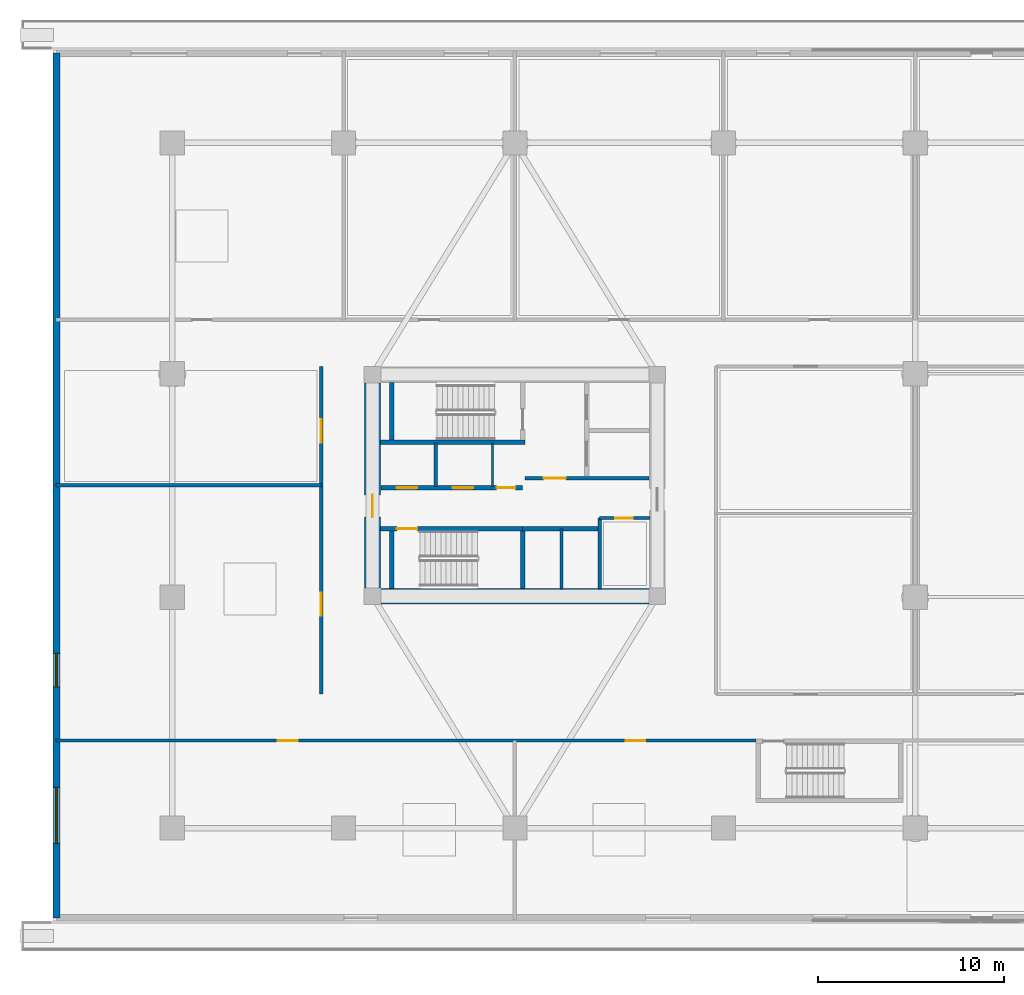
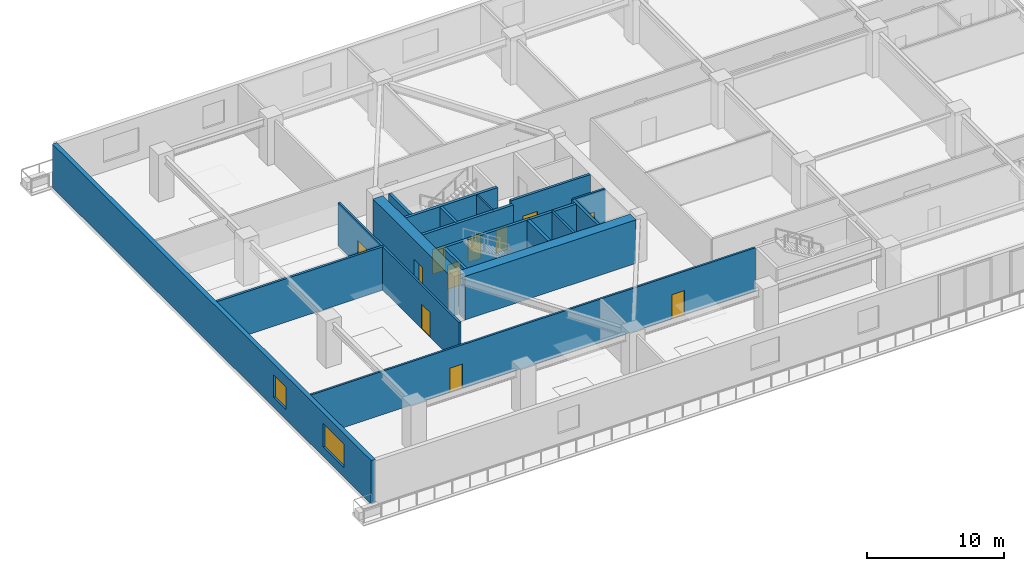
# One storey, part 4 of 22: 19 walls, 11 doors, 2 windows, 13 openings.
"""IFC4 building model written with IfcOpenShell, lengths in metres."""

from ifc_helpers import new_model, si_unit, direction, frame, frame_2d, origin, place, context, subcontext, project, spatial, rectangle, extrude, source, transform, mapped, material, layer, layer_set, type_object, type_shapes, element, fill, save


model = new_model("IFC4")

# Units and contexts
model_context = context("Model", 3, precision=1e-05, world=origin(), true_north=direction((0.0, 1.0)))
body_context = subcontext(model_context, "Body", "Model", "MODEL_VIEW")
ifc_project = project(units=[si_unit("LENGTHUNIT", "METRE"), si_unit("AREAUNIT", "SQUARE_METRE"), si_unit("VOLUMEUNIT", "CUBIC_METRE"), si_unit("PLANEANGLEUNIT", "RADIAN"), si_unit("MASSUNIT", "GRAM", prefix="KILO")], contexts=[model_context])

# Site, building, storey
site_placement = place(None, origin())
site = spatial("IfcSite", under=ifc_project, at=site_placement, CompositionType="ELEMENT")
building_placement = place(site_placement, origin())
building = spatial("IfcBuilding", under=site, at=building_placement, Name="Norrkilde Senior Care Towers", CompositionType="ELEMENT")
storey_placement = place(building_placement, frame((0.0, 0.0, 4.199951171875)))
storey = spatial("IfcBuildingStorey", under=building, at=storey_placement, Name="L01", CompositionType="ELEMENT", Elevation=4.199951171875)

# Wall
ifc_material_1 = material(Name="Concrete C60/75", Category="concrete")
ifc_layer_1 = layer(ifc_material_1, 0.85009765625)
ifc_layer_set_1 = layer_set([ifc_layer_1], Name="Concrete C60/75")
wall_type_1 = type_object("IfcWallType", Name="Core Shear Wall Z1 850", PredefinedType="SHEAR", material=ifc_layer_set_1)
shared_shape_1 = source(origin(), body_context, "Body", "SweptSolid", [
    extrude(rectangle(XDim=14.39990234375, YDim=0.85009765625, at=frame_2d((7.199951171875, 0.0))), origin(), (0.0, 0.0, 1.0), 3.880126953125),
])
wall_1_placement = place(storey_placement, frame((-20.800048828125, -5.949951171875, 0.0), z_axis=(0.0, 0.0, 1.0), x_axis=(-1.0, 0.0, 0.0)))
element("IfcWall", 1, at=wall_1_placement, inside=storey, type_object=wall_type_1, Name="L01 Core W South Shear Wall", PredefinedType="SHEAR", context=body_context, shape_type="MappedRepresentation", body=[
    mapped(shared_shape_1, transform((0.0, 0.0, 0.0), x_axis=(1.0, 0.0, 0.0), y_axis=(0.0, 1.0, 0.0), z_axis=(0.0, 0.0, 1.0), scale=1.0)),
])

# Wall, opening, door
shared_shape_2 = source(origin(), body_context, "Body", "SweptSolid", [
    extrude(rectangle(XDim=11.0, YDim=0.85009765625, at=frame_2d((5.5, 0.0))), origin(), (0.0, 0.0, 1.0), 3.880126953125),
])
type_shapes(wall_type_1, [shared_shape_1, shared_shape_2])
wall_2_placement = place(storey_placement, frame((-35.64990234375, -5.5, 0.0), z_axis=(0.0, 0.0, 1.0), x_axis=(0.0, 1.0, 0.0)))
wall_2 = element("IfcWall", 2, at=wall_2_placement, inside=storey, type_object=wall_type_1, Name="L01 Core W West Shear Wall", PredefinedType="SHEAR", context=body_context, shape_type="MappedRepresentation", body=[
    mapped(shared_shape_2, transform((0.0, 0.0, 0.0), x_axis=(1.0, 0.0, 0.0), y_axis=(0.0, 1.0, 0.0), z_axis=(0.0, 0.0, 1.0), scale=1.0)),
])
opening_1_placement = place(wall_2_placement, frame((3.800048828125, 0.0, 0.0)))
opening_1 = element("IfcOpeningElement", 3, at=opening_1_placement, cuts=wall_2, Name="Opening D-04", PredefinedType="OPENING", context=body_context, shape_type="SweptSolid", body=[
    extrude(rectangle(XDim=1.199951171875, YDim=2.14990234375, at=frame_2d((0.60009765625, 1.074951171875))), frame((0.0, 0.43505859375, 0.0), z_axis=(0.0, -1.0, 0.0), x_axis=(1.0, 0.0, 0.0)), (0.0, 0.0, 1.0), 0.8701171875),
])
ifc_material_2 = material(Name="Galvanised Painted Steel", Category="steel")
door_type_1 = type_object("IfcDoorType", Name="Firefighting Lobby Fire Door 1200x2150", OperationType="NOTDEFINED", PredefinedType="DOOR", material=ifc_material_2)
shared_shape_3 = source(origin(), body_context, "Body", "SweptSolid", [
    extrude(rectangle(XDim=1.199951171875, YDim=2.14990234375, at=frame_2d((0.60009765625, 1.074951171875))), frame((0.0, 0.02490234375, 0.0), z_axis=(0.0, -1.0, 0.0), x_axis=(1.0, 0.0, 0.0)), (0.0, 0.0, 1.0), 0.050048828125),
])
type_shapes(door_type_1, [shared_shape_3])
door_1_placement = place(opening_1_placement, frame((1.199951171875, 0.0, 0.0), z_axis=(0.0, 0.0, 1.0), x_axis=(-1.0, 0.0, 0.0)))
door_1 = element("IfcDoor", 4, at=door_1_placement, inside=storey, type_object=door_type_1, Name="L01 Core W West Portal Door", OperationType="SINGLE_SWING_LEFT", OverallHeight=2.14990234375, OverallWidth=1.199951171875, PredefinedType="DOOR", context=body_context, shape_type="MappedRepresentation", body=[
    mapped(shared_shape_3, transform((0.0, 0.0, 0.0), x_axis=(1.0, 0.0, 0.0), y_axis=(0.0, 1.0, 0.0), z_axis=(0.0, 0.0, 1.0), scale=1.0)),
])
fill(opening_1, door_1)

# Wall, openings, windows
ifc_material_3 = material(Name="Precast concrete C45/55", Category="concrete")
ifc_layer_2 = layer(ifc_material_3, 0.360107421875)
ifc_layer_set_2 = layer_set([ifc_layer_2], Name="Precast concrete C45/55")
wall_type_2 = type_object("IfcWallType", Name="Podium Facade Wall 360", PredefinedType="SOLIDWALL", material=ifc_layer_set_2)
shared_shape_4 = source(origin(), body_context, "Body", "SweptSolid", [
    extrude(rectangle(XDim=46.43994140625, YDim=0.360107421875, at=frame_2d((23.219970703125, 0.0))), origin(), (0.0, 0.0, 1.0), 3.880126953125),
])
type_shapes(wall_type_2, [shared_shape_4])
wall_3_placement = place(storey_placement, frame((-52.6201171875, -23.219970703125, 0.0), z_axis=(0.0, 0.0, 1.0), x_axis=(0.0, 1.0, 0.0)))
wall_3 = element("IfcWall", 5, at=wall_3_placement, inside=storey, type_object=wall_type_2, Name="L01 Podium W Facade Wall", PredefinedType="SOLIDWALL", context=body_context, shape_type="MappedRepresentation", body=[
    mapped(shared_shape_4, transform((0.0, 0.0, 0.0), x_axis=(1.0, 0.0, 0.0), y_axis=(0.0, 1.0, 0.0), z_axis=(0.0, 0.0, 1.0), scale=1.0)),
])
opening_2_placement = place(wall_3_placement, frame((4.0, 0.0, 0.85009765625)))
opening_2 = element("IfcOpeningElement", 6, at=opening_2_placement, cuts=wall_3, Name="Opening WN-02", PredefinedType="OPENING", context=body_context, shape_type="SweptSolid", body=[
    extrude(rectangle(XDim=3.0, YDim=2.10009765625, at=frame_2d((1.5, 1.050048828125))), frame((0.0, 0.18994140625, 0.0), z_axis=(0.0, -1.0, 0.0), x_axis=(1.0, 0.0, 0.0)), (0.0, 0.0, 1.0), 0.380126953125),
])
opening_3_placement = place(wall_3_placement, frame((12.39990234375, 0.0, 0.89990234375)))
opening_3 = element("IfcOpeningElement", 7, at=opening_3_placement, cuts=wall_3, Name="Opening WN-03", PredefinedType="OPENING", context=body_context, shape_type="SweptSolid", body=[
    extrude(rectangle(XDim=1.800048828125, YDim=2.0, at=frame_2d((0.89990234375, 1.0))), frame((0.0, 0.18994140625, 0.0), z_axis=(0.0, -1.0, 0.0), x_axis=(1.0, 0.0, 0.0)), (0.0, 0.0, 1.0), 0.380126953125),
])
ifc_material_4 = material(Name="Triple Low-E Insulated Glazing", Category="glass")
window_type_1 = type_object("IfcWindowType", Name="Podium Rehab Ribbon Window 3000x2100", PartitioningType="SINGLE_PANEL", PredefinedType="WINDOW", material=ifc_material_4)
shared_shape_5 = source(origin(), body_context, "Body", "SweptSolid", [
    extrude(rectangle(XDim=3.0, YDim=2.10009765625, at=frame_2d((1.5, 1.050048828125))), frame((0.0, 0.030029296875, 0.0), z_axis=(0.0, -1.0, 0.0), x_axis=(1.0, 0.0, 0.0)), (0.0, 0.0, 1.0), 0.06005859375),
])
type_shapes(window_type_1, [shared_shape_5])
window_1_placement = place(opening_2_placement, origin())
window_1 = element("IfcWindow", 8, at=window_1_placement, inside=storey, type_object=window_type_1, Name="L01 W Window 01", OverallHeight=2.10009765625, OverallWidth=3.0, PartitioningType="SINGLE_PANEL", PredefinedType="WINDOW", context=body_context, shape_type="MappedRepresentation", body=[
    mapped(shared_shape_5, transform((0.0, 0.0, 0.0), x_axis=(1.0, 0.0, 0.0), y_axis=(0.0, 1.0, 0.0), z_axis=(0.0, 0.0, 1.0), scale=1.0)),
])
fill(opening_2, window_1)
window_type_2 = type_object("IfcWindowType", Name="Podium Therapy Garden Window 1800x2000", PartitioningType="SINGLE_PANEL", PredefinedType="WINDOW", material=ifc_material_4)
shared_shape_6 = source(origin(), body_context, "Body", "SweptSolid", [
    extrude(rectangle(XDim=1.800048828125, YDim=2.0, at=frame_2d((0.89990234375, 1.0))), frame((0.0, 0.030029296875, 0.0), z_axis=(0.0, -1.0, 0.0), x_axis=(1.0, 0.0, 0.0)), (0.0, 0.0, 1.0), 0.06005859375),
])
type_shapes(window_type_2, [shared_shape_6])
window_2_placement = place(opening_3_placement, origin())
window_2 = element("IfcWindow", 9, at=window_2_placement, inside=storey, type_object=window_type_2, Name="L01 W Window 02", OverallHeight=2.0, OverallWidth=1.800048828125, PartitioningType="SINGLE_PANEL", PredefinedType="WINDOW", context=body_context, shape_type="MappedRepresentation", body=[
    mapped(shared_shape_6, transform((0.0, 0.0, 0.0), x_axis=(1.0, 0.0, 0.0), y_axis=(0.0, 1.0, 0.0), z_axis=(0.0, 0.0, 1.0), scale=1.0)),
])
fill(opening_3, window_2)

# Wall, opening, door
ifc_material_5 = material(Name="Concrete C45/55", Category="concrete")
ifc_layer_3 = layer(ifc_material_5, 0.2099609375)
ifc_layer_set_3 = layer_set([ifc_layer_3], Name="Concrete C45/55")
wall_type_3 = type_object("IfcWallType", Name="Firefighting Lobby Wall 210", PredefinedType="PARTITIONING", material=ifc_layer_set_3)
shared_shape_7 = source(origin(), body_context, "Body", "SweptSolid", [
    extrude(rectangle(XDim=6.659912109375, YDim=0.2099609375, at=frame_2d((3.330078125, 0.0))), origin(), (0.0, 0.0, 1.0), 3.864990234375),
])
type_shapes(wall_type_3, [shared_shape_7])
wall_4_placement = place(storey_placement, frame((-27.4599609375, 0.389892578125, 0.0), z_axis=(0.0, 0.0, 1.0), x_axis=(1.0, 0.0, 0.0)))
wall_4 = element("IfcWall", 10, at=wall_4_placement, inside=storey, type_object=wall_type_3, Name="WL-INT-L01-W-FFLS", PredefinedType="PARTITIONING", context=body_context, shape_type="MappedRepresentation", body=[
    mapped(shared_shape_7, transform((0.0, 0.0, 0.0), x_axis=(1.0, 0.0, 0.0), y_axis=(0.0, 1.0, 0.0), z_axis=(0.0, 0.0, 1.0), scale=1.0)),
])
opening_4_placement = place(wall_4_placement, frame((1.0, 0.0, 0.0)))
opening_4 = element("IfcOpeningElement", 11, at=opening_4_placement, cuts=wall_4, Name="Opening D-04", PredefinedType="OPENING", context=body_context, shape_type="SweptSolid", body=[
    extrude(rectangle(XDim=1.199951171875, YDim=2.14990234375, at=frame_2d((0.60009765625, 1.074951171875))), frame((0.0, 0.114990234375, 0.0), z_axis=(0.0, -1.0, 0.0), x_axis=(1.0, 0.0, 0.0)), (0.0, 0.0, 1.0), 0.22998046875),
])
door_2_placement = place(opening_4_placement, frame((1.199951171875, 0.0, 0.0), z_axis=(0.0, 0.0, 1.0), x_axis=(-1.0, 0.0, 0.0)))
door_2 = element("IfcDoor", 12, at=door_2_placement, inside=storey, type_object=door_type_1, Name="L01 Firefighting Lobby W Door", OperationType="SINGLE_SWING_LEFT", OverallHeight=2.14990234375, OverallWidth=1.199951171875, PredefinedType="DOOR", context=body_context, shape_type="MappedRepresentation", body=[
    mapped(shared_shape_3, transform((0.0, 0.0, 0.0), x_axis=(1.0, 0.0, 0.0), y_axis=(0.0, 1.0, 0.0), z_axis=(0.0, 0.0, 1.0), scale=1.0)),
])
fill(opening_4, door_2)

# Wall, openings, doors
ifc_layer_4 = layer(ifc_material_5, 0.239990234375)
ifc_layer_set_4 = layer_set([ifc_layer_4], Name="Concrete C45/55")
wall_type_4 = type_object("IfcWallType", Name="Lift and Plant Rated Enclosure Partition 240", PredefinedType="PARTITIONING", material=ifc_layer_set_4)
shared_shape_8 = source(origin(), body_context, "Body", "SweptSolid", [
    extrude(rectangle(XDim=7.619873046875, YDim=0.239990234375, at=frame_2d((3.81005859375, 0.0))), origin(), (0.0, 0.0, 1.0), 3.864990234375),
])
wall_5_placement = place(storey_placement, frame((-35.199951171875, -0.1298828125, 0.0), z_axis=(0.0, 0.0, 1.0), x_axis=(1.0, 0.0, 0.0)))
wall_5 = element("IfcWall", 13, at=wall_5_placement, inside=storey, type_object=wall_type_4, Name="WL-INT-L01-W-PKAS", PredefinedType="PARTITIONING", context=body_context, shape_type="MappedRepresentation", body=[
    mapped(shared_shape_8, transform((0.0, 0.0, 0.0), x_axis=(1.0, 0.0, 0.0), y_axis=(0.0, 1.0, 0.0), z_axis=(0.0, 0.0, 1.0), scale=1.0)),
])
opening_5_placement = place(wall_5_placement, frame((6.219970703125, 0.0, 0.0)))
opening_5 = element("IfcOpeningElement", 14, at=opening_5_placement, cuts=wall_5, Name="Opening D-10", PredefinedType="OPENING", context=body_context, shape_type="SweptSolid", body=[
    extrude(rectangle(XDim=1.0, YDim=2.10009765625, at=frame_2d((0.5, 1.050048828125))), frame((0.0, 0.1298828125, 0.0), z_axis=(0.0, -1.0, 0.0), x_axis=(1.0, 0.0, 0.0)), (0.0, 0.0, 1.0), 0.260009765625),
])
opening_6_placement = place(wall_5_placement, frame((0.85009765625, 0.0, 0.0)))
opening_6 = element("IfcOpeningElement", 15, at=opening_6_placement, cuts=wall_5, Name="Opening LD-01", PredefinedType="OPENING", context=body_context, shape_type="SweptSolid", body=[
    extrude(rectangle(XDim=1.10009765625, YDim=2.199951171875, at=frame_2d((0.550048828125, 1.10009765625))), frame((0.0, 0.1298828125, 0.0), z_axis=(0.0, -1.0, 0.0), x_axis=(1.0, 0.0, 0.0)), (0.0, 0.0, 1.0), 0.260009765625),
])
opening_7_placement = place(wall_5_placement, frame((3.85009765625, 0.0, 0.0)))
opening_7 = element("IfcOpeningElement", 16, at=opening_7_placement, cuts=wall_5, Name="Opening LD-01", PredefinedType="OPENING", context=body_context, shape_type="SweptSolid", body=[
    extrude(rectangle(XDim=1.10009765625, YDim=2.199951171875, at=frame_2d((0.550048828125, 1.10009765625))), frame((0.0, 0.1298828125, 0.0), z_axis=(0.0, -1.0, 0.0), x_axis=(1.0, 0.0, 0.0)), (0.0, 0.0, 1.0), 0.260009765625),
])
door_type_2 = type_object("IfcDoorType", Name="Plant and Riser Rated Door 1000x2100", OperationType="NOTDEFINED", PredefinedType="DOOR", material=ifc_material_2)
shared_shape_9 = source(origin(), body_context, "Body", "SweptSolid", [
    extrude(rectangle(XDim=1.0, YDim=2.10009765625, at=frame_2d((0.5, 1.050048828125))), frame((0.0, 0.02490234375, 0.0), z_axis=(0.0, -1.0, 0.0), x_axis=(1.0, 0.0, 0.0)), (0.0, 0.0, 1.0), 0.050048828125),
])
type_shapes(door_type_2, [shared_shape_9])
door_3_placement = place(opening_5_placement, frame((1.0, 0.0, 0.0), z_axis=(0.0, 0.0, 1.0), x_axis=(-1.0, 0.0, 0.0)))
door_3 = element("IfcDoor", 17, at=door_3_placement, inside=storey, type_object=door_type_2, Name="L01 Electrical Riser W Door", OperationType="SINGLE_SWING_LEFT", OverallHeight=2.10009765625, OverallWidth=1.0, PredefinedType="DOOR", context=body_context, shape_type="MappedRepresentation", body=[
    mapped(shared_shape_9, transform((0.0, 0.0, 0.0), x_axis=(1.0, 0.0, 0.0), y_axis=(0.0, 1.0, 0.0), z_axis=(0.0, 0.0, 1.0), scale=1.0)),
])
fill(opening_5, door_3)
ifc_material_6 = material(Name="Stainless Steel", Category="steel")
door_type_3 = type_object("IfcDoorType", Name="Lift Landing Sliding Door 1100x2200", OperationType="NOTDEFINED", PredefinedType="DOOR", material=ifc_material_6)
shared_shape_10 = source(origin(), body_context, "Body", "SweptSolid", [
    extrude(rectangle(XDim=1.10009765625, YDim=2.199951171875, at=frame_2d((0.550048828125, 1.10009765625))), frame((0.0, 0.02490234375, 0.0), z_axis=(0.0, -1.0, 0.0), x_axis=(1.0, 0.0, 0.0)), (0.0, 0.0, 1.0), 0.050048828125),
])
type_shapes(door_type_3, [shared_shape_10])
door_4_placement = place(opening_6_placement, origin())
door_4 = element("IfcDoor", 18, at=door_4_placement, inside=storey, type_object=door_type_3, Name="L01 Passenger Lift W1 Landing Door", OperationType="SLIDING_TO_LEFT", OverallHeight=2.199951171875, OverallWidth=1.10009765625, PredefinedType="DOOR", context=body_context, shape_type="MappedRepresentation", body=[
    mapped(shared_shape_10, transform((0.0, 0.0, 0.0), x_axis=(1.0, 0.0, 0.0), y_axis=(0.0, 1.0, 0.0), z_axis=(0.0, 0.0, 1.0), scale=1.0)),
])
fill(opening_6, door_4)
door_5_placement = place(opening_7_placement, origin())
door_5 = element("IfcDoor", 19, at=door_5_placement, inside=storey, type_object=door_type_3, Name="L01 Passenger Lift W2 Landing Door", OperationType="SLIDING_TO_RIGHT", OverallHeight=2.199951171875, OverallWidth=1.10009765625, PredefinedType="DOOR", context=body_context, shape_type="MappedRepresentation", body=[
    mapped(shared_shape_10, transform((0.0, 0.0, 0.0), x_axis=(1.0, 0.0, 0.0), y_axis=(0.0, 1.0, 0.0), z_axis=(0.0, 0.0, 1.0), scale=1.0)),
])
fill(opening_7, door_5)

# Walls
ifc_material_7 = material(Name="Gypsum Acoustic Board")
ifc_layer_5 = layer(ifc_material_7, 0.114990234375)
ifc_layer_set_5 = layer_set([ifc_layer_5], Name="Gypsum Acoustic Board")
wall_type_5 = type_object("IfcWallType", Name="Internal Room Partition 115", PredefinedType="PARTITIONING", material=ifc_layer_set_5)
shared_shape_11 = source(origin(), body_context, "Body", "SweptSolid", [
    extrude(rectangle(XDim=2.330078125, YDim=0.114990234375, at=frame_2d((1.1650390625, 0.0))), origin(), (0.0, 0.0, 1.0), 3.864990234375),
])
type_shapes(wall_type_5, [shared_shape_11])
wall_6_placement = place(storey_placement, frame((-29.2099609375, -0.050048828125, 0.0), z_axis=(0.0, 0.0, 1.0), x_axis=(0.0, 1.0, 0.0)))
element("IfcWall", 20, at=wall_6_placement, inside=storey, type_object=wall_type_5, Name="WL-INT-L01-W-RISW", PredefinedType="PARTITIONING", context=body_context, shape_type="MappedRepresentation", body=[
    mapped(shared_shape_11, transform((0.0, 0.0, 0.0), x_axis=(1.0, 0.0, 0.0), y_axis=(0.0, 1.0, 0.0), z_axis=(0.0, 0.0, 1.0), scale=1.0)),
])
ifc_layer_6 = layer(ifc_material_5, 0.199951171875)
ifc_layer_set_6 = layer_set([ifc_layer_6], Name="Concrete C45/55")
wall_type_6 = type_object("IfcWallType", Name="Shaft Division and Plant Partition 200", PredefinedType="PARTITIONING", material=ifc_layer_set_6)
shared_shape_12 = source(origin(), body_context, "Body", "SweptSolid", [
    extrude(rectangle(XDim=2.330078125, YDim=0.199951171875, at=frame_2d((1.1650390625, 0.0))), origin(), (0.0, 0.0, 1.0), 3.864990234375),
])
wall_7_placement = place(storey_placement, frame((-32.25, -0.050048828125, 0.0), z_axis=(0.0, 0.0, 1.0), x_axis=(0.0, 1.0, 0.0)))
element("IfcWall", 21, at=wall_7_placement, inside=storey, type_object=wall_type_6, Name="WL-INT-L01-W-PL12", PredefinedType="PARTITIONING", context=body_context, shape_type="MappedRepresentation", body=[
    mapped(shared_shape_12, transform((0.0, 0.0, 0.0), x_axis=(1.0, 0.0, 0.0), y_axis=(0.0, 1.0, 0.0), z_axis=(0.0, 0.0, 1.0), scale=1.0)),
])
shared_shape_13 = source(origin(), body_context, "Body", "SweptSolid", [
    extrude(rectangle(XDim=3.800048828125, YDim=0.199951171875, at=frame_2d((1.89990234375, 0.0))), origin(), (0.0, 0.0, 1.0), 3.864990234375),
])
type_shapes(wall_type_6, [shared_shape_12, shared_shape_13])
wall_8_placement = place(storey_placement, frame((-23.449951171875, -5.550048828125, 0.0), z_axis=(0.0, 0.0, 1.0), x_axis=(0.0, 1.0, 0.0)))
element("IfcWall", 22, at=wall_8_placement, inside=storey, type_object=wall_type_6, Name="WL-INT-L01-W-PKBE", PredefinedType="PARTITIONING", context=body_context, shape_type="MappedRepresentation", body=[
    mapped(shared_shape_13, transform((0.0, 0.0, 0.0), x_axis=(1.0, 0.0, 0.0), y_axis=(0.0, 1.0, 0.0), z_axis=(0.0, 0.0, 1.0), scale=1.0)),
])
shared_shape_14 = source(origin(), body_context, "Body", "SweptSolid", [
    extrude(rectangle(XDim=4.130126953125, YDim=0.239990234375, at=frame_2d((2.06494140625, 0.0))), origin(), (0.0, 0.0, 1.0), 3.864990234375),
])
type_shapes(wall_type_4, [shared_shape_8, shared_shape_14])
wall_9_placement = place(storey_placement, frame((-27.580078125, -2.330078125, 0.0), z_axis=(0.0, 0.0, 1.0), x_axis=(1.0, 0.0, 0.0)))
element("IfcWall", 23, at=wall_9_placement, inside=storey, type_object=wall_type_4, Name="WL-INT-L01-W-PKBN", PredefinedType="PARTITIONING", context=body_context, shape_type="MappedRepresentation", body=[
    mapped(shared_shape_14, transform((0.0, 0.0, 0.0), x_axis=(1.0, 0.0, 0.0), y_axis=(0.0, 1.0, 0.0), z_axis=(0.0, 0.0, 1.0), scale=1.0)),
])
ifc_layer_7 = layer(ifc_material_5, 0.179931640625)
ifc_layer_set_7 = layer_set([ifc_layer_7], Name="Concrete C45/55")
wall_type_7 = type_object("IfcWallType", Name="Hoistway Division Rated Partition 180", PredefinedType="PARTITIONING", material=ifc_layer_set_7)
shared_shape_15 = source(origin(), body_context, "Body", "SweptSolid", [
    extrude(rectangle(XDim=3.219970703125, YDim=0.179931640625, at=frame_2d((1.60986328125, 0.0))), origin(), (0.0, 0.0, 1.0), 3.864990234375),
])
type_shapes(wall_type_7, [shared_shape_15])
wall_10_placement = place(storey_placement, frame((-25.5, -5.550048828125, 0.0), z_axis=(0.0, 0.0, 1.0), x_axis=(0.0, 1.0, 0.0)))
element("IfcWall", 24, at=wall_10_placement, inside=storey, type_object=wall_type_7, Name="WL-INT-L01-W-PL34", PredefinedType="PARTITIONING", context=body_context, shape_type="MappedRepresentation", body=[
    mapped(shared_shape_15, transform((0.0, 0.0, 0.0), x_axis=(1.0, 0.0, 0.0), y_axis=(0.0, 1.0, 0.0), z_axis=(0.0, 0.0, 1.0), scale=1.0)),
])

# Wall, opening, door
ifc_layer_8 = layer(ifc_material_7, 0.1650390625)
ifc_layer_set_8 = layer_set([ifc_layer_8], Name="Gypsum Acoustic Board")
wall_type_8 = type_object("IfcWallType", Name="Corridor Rated Partition 165", PredefinedType="PARTITIONING", material=ifc_layer_set_8)
shared_shape_16 = source(origin(), body_context, "Body", "SweptSolid", [
    extrude(rectangle(XDim=2.699951171875, YDim=0.1650390625, at=frame_2d((1.35009765625, 0.0))), origin(), (0.0, 0.0, 1.0), 3.864990234375),
])
wall_11_placement = place(storey_placement, frame((-23.449951171875, -1.75, 0.0), z_axis=(0.0, 0.0, 1.0), x_axis=(1.0, 0.0, 0.0)))
wall_11 = element("IfcWall", 25, at=wall_11_placement, inside=storey, type_object=wall_type_8, Name="WL-INT-L01-W-CSN", PredefinedType="PARTITIONING", context=body_context, shape_type="MappedRepresentation", body=[
    mapped(shared_shape_16, transform((0.0, 0.0, 0.0), x_axis=(1.0, 0.0, 0.0), y_axis=(0.0, 1.0, 0.0), z_axis=(0.0, 0.0, 1.0), scale=1.0)),
])
opening_8_placement = place(wall_11_placement, frame((0.85009765625, 0.0, 0.0)))
opening_8 = element("IfcOpeningElement", 26, at=opening_8_placement, cuts=wall_11, Name="Opening D-12", PredefinedType="OPENING", context=body_context, shape_type="SweptSolid", body=[
    extrude(rectangle(XDim=0.925048828125, YDim=2.10009765625, at=frame_2d((0.46240234375, 1.050048828125))), frame((0.0, 0.092529296875, 0.0), z_axis=(0.0, -1.0, 0.0), x_axis=(1.0, 0.0, 0.0)), (0.0, 0.0, 1.0), 0.18505859375),
])
door_type_4 = type_object("IfcDoorType", Name="Core Wet Room Rated Door 925x2100", OperationType="NOTDEFINED", PredefinedType="DOOR", material=ifc_material_2)
shared_shape_17 = source(origin(), body_context, "Body", "SweptSolid", [
    extrude(rectangle(XDim=0.925048828125, YDim=2.10009765625, at=frame_2d((0.46240234375, 1.050048828125))), frame((0.0, 0.02490234375, 0.0), z_axis=(0.0, -1.0, 0.0), x_axis=(1.0, 0.0, 0.0)), (0.0, 0.0, 1.0), 0.050048828125),
])
type_shapes(door_type_4, [shared_shape_17])
door_6_placement = place(opening_8_placement, origin())
door_6 = element("IfcDoor", 27, at=door_6_placement, inside=storey, type_object=door_type_4, Name="L01 Core Utility W Door", OperationType="SINGLE_SWING_LEFT", OverallHeight=2.10009765625, OverallWidth=0.925048828125, PredefinedType="DOOR", context=body_context, shape_type="MappedRepresentation", body=[
    mapped(shared_shape_17, transform((0.0, 0.0, 0.0), x_axis=(1.0, 0.0, 0.0), y_axis=(0.0, 1.0, 0.0), z_axis=(0.0, 0.0, 1.0), scale=1.0)),
])
fill(opening_8, door_6)

# Wall, openings, doors
shared_shape_18 = source(origin(), body_context, "Body", "SweptSolid", [
    extrude(rectangle(XDim=17.599853515625, YDim=0.1650390625, at=frame_2d((8.7998046875, 0.0))), origin(), (0.0, 0.0, 1.0), 3.864990234375),
])
wall_12_placement = place(storey_placement, frame((-38.39990234375, -11.199951171875, 0.0), z_axis=(0.0, 0.0, 1.0), x_axis=(0.0, 1.0, 0.0)))
wall_12 = element("IfcWall", 28, at=wall_12_placement, inside=storey, type_object=wall_type_8, Name="WL-INT-L01-POD-OW", PredefinedType="PARTITIONING", context=body_context, shape_type="MappedRepresentation", body=[
    mapped(shared_shape_18, transform((0.0, 0.0, 0.0), x_axis=(1.0, 0.0, 0.0), y_axis=(0.0, 1.0, 0.0), z_axis=(0.0, 0.0, 1.0), scale=1.0)),
])
opening_9_placement = place(wall_12_placement, frame((4.199951171875, 0.0, 0.0)))
opening_9 = element("IfcOpeningElement", 29, at=opening_9_placement, cuts=wall_12, Name="Opening D-05", PredefinedType="OPENING", context=body_context, shape_type="SweptSolid", body=[
    extrude(rectangle(XDim=1.25, YDim=2.199951171875, at=frame_2d((0.625, 1.10009765625))), frame((0.0, 0.092529296875, 0.0), z_axis=(0.0, -1.0, 0.0), x_axis=(1.0, 0.0, 0.0)), (0.0, 0.0, 1.0), 0.18505859375),
])
opening_10_placement = place(wall_12_placement, frame((13.5, 0.0, 0.0)))
opening_10 = element("IfcOpeningElement", 30, at=opening_10_placement, cuts=wall_12, Name="Opening D-05", PredefinedType="OPENING", context=body_context, shape_type="SweptSolid", body=[
    extrude(rectangle(XDim=1.25, YDim=2.199951171875, at=frame_2d((0.625, 1.10009765625))), frame((0.0, 0.092529296875, 0.0), z_axis=(0.0, -1.0, 0.0), x_axis=(1.0, 0.0, 0.0)), (0.0, 0.0, 1.0), 0.18505859375),
])
ifc_material_8 = material(Name="Nordic Ash Timber", Category="wood")
door_type_5 = type_object("IfcDoorType", Name="Care Bedroom Bariatric Door 1250x2200", OperationType="NOTDEFINED", PredefinedType="DOOR", material=ifc_material_8)
shared_shape_19 = source(origin(), body_context, "Body", "SweptSolid", [
    extrude(rectangle(XDim=1.25, YDim=2.199951171875, at=frame_2d((0.625, 1.10009765625))), frame((0.0, 0.02490234375, 0.0), z_axis=(0.0, -1.0, 0.0), x_axis=(1.0, 0.0, 0.0)), (0.0, 0.0, 1.0), 0.050048828125),
])
type_shapes(door_type_5, [shared_shape_19])
door_7_placement = place(opening_9_placement, frame((1.25, 0.0, 0.0), z_axis=(0.0, 0.0, 1.0), x_axis=(-1.0, 0.0, 0.0)))
door_7 = element("IfcDoor", 31, at=door_7_placement, inside=storey, type_object=door_type_5, Name="L01 Rehab Ward OW1 Door", OperationType="SINGLE_SWING_LEFT", OverallHeight=2.199951171875, OverallWidth=1.25, PredefinedType="DOOR", context=body_context, shape_type="MappedRepresentation", body=[
    mapped(shared_shape_19, transform((0.0, 0.0, 0.0), x_axis=(1.0, 0.0, 0.0), y_axis=(0.0, 1.0, 0.0), z_axis=(0.0, 0.0, 1.0), scale=1.0)),
])
fill(opening_9, door_7)
door_8_placement = place(opening_10_placement, frame((1.25, 0.0, 0.0), z_axis=(0.0, 0.0, 1.0), x_axis=(-1.0, 0.0, 0.0)))
door_8 = element("IfcDoor", 32, at=door_8_placement, inside=storey, type_object=door_type_5, Name="L01 Wellness Hall OW2 Door", OperationType="SINGLE_SWING_RIGHT", OverallHeight=2.199951171875, OverallWidth=1.25, PredefinedType="DOOR", context=body_context, shape_type="MappedRepresentation", body=[
    mapped(shared_shape_19, transform((0.0, 0.0, 0.0), x_axis=(1.0, 0.0, 0.0), y_axis=(0.0, 1.0, 0.0), z_axis=(0.0, 0.0, 1.0), scale=1.0)),
])
fill(opening_10, door_8)

# Wall
ifc_layer_9 = layer(ifc_material_5, 0.239990234375)
ifc_layer_set_9 = layer_set([ifc_layer_9], Name="Concrete C45/55")
wall_type_9 = type_object("IfcWallType", Name="Shaft and Stair Enclosure Wall 240", PredefinedType="PARTITIONING", material=ifc_layer_set_9)
shared_shape_20 = source(origin(), body_context, "Body", "SweptSolid", [
    extrude(rectangle(XDim=7.76513671875, YDim=0.239990234375, at=frame_2d((3.882568359375, 0.0))), origin(), (0.0, 0.0, 1.0), 3.880126953125),
])
wall_13_placement = place(storey_placement, frame((-35.22509765625, 2.330078125, 0.0), z_axis=(0.0, 0.0, 1.0), x_axis=(1.0, 0.0, 0.0)))
element("IfcWall", 33, at=wall_13_placement, inside=storey, type_object=wall_type_9, Name="WL-INT-L01-W-ST1S", PredefinedType="PARTITIONING", context=body_context, shape_type="MappedRepresentation", body=[
    mapped(shared_shape_20, transform((0.0, 0.0, 0.0), x_axis=(1.0, 0.0, 0.0), y_axis=(0.0, 1.0, 0.0), z_axis=(0.0, 0.0, 1.0), scale=1.0)),
])

# Wall, opening, door
wall_14_placement = place(storey_placement, frame((-35.22509765625, -2.330078125, 0.0), z_axis=(0.0, 0.0, 1.0), x_axis=(1.0, 0.0, 0.0)))
wall_14 = element("IfcWall", 34, at=wall_14_placement, inside=storey, type_object=wall_type_9, Name="WL-INT-L01-W-ST2N", PredefinedType="PARTITIONING", context=body_context, shape_type="MappedRepresentation", body=[
    mapped(shared_shape_20, transform((0.0, 0.0, 0.0), x_axis=(1.0, 0.0, 0.0), y_axis=(0.0, 1.0, 0.0), z_axis=(0.0, 0.0, 1.0), scale=1.0)),
])
opening_11_placement = place(wall_14_placement, frame((0.885009765625, 0.0, 0.0)))
opening_11 = element("IfcOpeningElement", 35, at=opening_11_placement, cuts=wall_14, Name="Opening D-03", PredefinedType="OPENING", context=body_context, shape_type="SweptSolid", body=[
    extrude(rectangle(XDim=1.10009765625, YDim=2.14990234375, at=frame_2d((0.550048828125, 1.074951171875))), frame((0.0, 0.1298828125, 0.0), z_axis=(0.0, -1.0, 0.0), x_axis=(1.0, 0.0, 0.0)), (0.0, 0.0, 1.0), 0.260009765625),
])
door_type_6 = type_object("IfcDoorType", Name="Stairwell Protected Fire Door 1100x2150", OperationType="NOTDEFINED", PredefinedType="DOOR", material=ifc_material_2)
shared_shape_21 = source(origin(), body_context, "Body", "SweptSolid", [
    extrude(rectangle(XDim=1.10009765625, YDim=2.14990234375, at=frame_2d((0.550048828125, 1.074951171875))), frame((0.0, 0.02490234375, 0.0), z_axis=(0.0, -1.0, 0.0), x_axis=(1.0, 0.0, 0.0)), (0.0, 0.0, 1.0), 0.050048828125),
])
type_shapes(door_type_6, [shared_shape_21])
door_9_placement = place(opening_11_placement, frame((1.10009765625, 0.0, 0.0), z_axis=(0.0, 0.0, 1.0), x_axis=(-1.0, 0.0, 0.0)))
door_9 = element("IfcDoor", 36, at=door_9_placement, inside=storey, type_object=door_type_6, Name="L01 Stair W2 Fire Door", OperationType="SINGLE_SWING_RIGHT", OverallHeight=2.14990234375, OverallWidth=1.10009765625, PredefinedType="DOOR", context=body_context, shape_type="MappedRepresentation", body=[
    mapped(shared_shape_21, transform((0.0, 0.0, 0.0), x_axis=(1.0, 0.0, 0.0), y_axis=(0.0, 1.0, 0.0), z_axis=(0.0, 0.0, 1.0), scale=1.0)),
])
fill(opening_11, door_9)

# Walls
shared_shape_22 = source(origin(), body_context, "Body", "SweptSolid", [
    extrude(rectangle(XDim=3.074951171875, YDim=0.239990234375, at=frame_2d((1.53759765625, 0.0))), origin(), (0.0, 0.0, 1.0), 3.880126953125),
])
type_shapes(wall_type_9, [shared_shape_20, shared_shape_22])
for number, where, z_axis, x_axis, name in (
    (37, (-34.6201171875, 2.449951171875, 0.0), (0.0, 0.0, 1.0), (0.0, 1.0, 0.0), "WL-INT-L01-W-ST1W"),
    (38, (-34.6201171875, -5.52490234375, 0.0), (0.0, 0.0, 1.0), (0.0, 1.0, 0.0), "WL-INT-L01-W-ST2W"),
    (39, (-27.580078125, -5.52490234375, 0.0), (0.0, 0.0, 1.0), (0.0, 1.0, 0.0), "WL-INT-L01-W-ST2E"),
):
    element("IfcWall", number, at=place(storey_placement, frame(where, z_axis=z_axis, x_axis=x_axis)), inside=storey, type_object=wall_type_9, Name=name, PredefinedType="PARTITIONING", context=body_context, shape_type="MappedRepresentation", body=[
        mapped(shared_shape_22, transform((0.0, 0.0, 0.0), x_axis=(1.0, 0.0, 0.0), y_axis=(0.0, 1.0, 0.0), z_axis=(0.0, 0.0, 1.0), scale=1.0)),
    ])
ifc_layer_10 = layer(ifc_material_7, 0.18994140625)
ifc_layer_set_10 = layer_set([ifc_layer_10], Name="Gypsum Acoustic Board")
wall_type_10 = type_object("IfcWallType", Name="Unit Demising Acoustic Wall 190", PredefinedType="PARTITIONING", material=ifc_layer_set_10)
shared_shape_23 = source(origin(), body_context, "Body", "SweptSolid", [
    extrude(rectangle(XDim=14.25, YDim=0.18994140625, at=frame_2d((7.125, 0.0))), origin(), (0.0, 0.0, 1.0), 3.864990234375),
])
type_shapes(wall_type_10, [shared_shape_23])
wall_15_placement = place(storey_placement, frame((-52.64990234375, 0.0, 0.0), z_axis=(0.0, 0.0, 1.0), x_axis=(1.0, 0.0, 0.0)))
element("IfcWall", 40, at=wall_15_placement, inside=storey, type_object=wall_type_10, Name="WL-INT-L01-POD-OWH", PredefinedType="PARTITIONING", context=body_context, shape_type="MappedRepresentation", body=[
    mapped(shared_shape_23, transform((0.0, 0.0, 0.0), x_axis=(1.0, 0.0, 0.0), y_axis=(0.0, 1.0, 0.0), z_axis=(0.0, 0.0, 1.0), scale=1.0)),
])

# Wall, openings, doors
shared_shape_24 = source(origin(), body_context, "Body", "SweptSolid", [
    extrude(rectangle(XDim=37.599853515625, YDim=0.1650390625, at=frame_2d((18.7998046875, 0.0))), origin(), (0.0, 0.0, 1.0), 3.864990234375),
])
type_shapes(wall_type_8, [shared_shape_16, shared_shape_18, shared_shape_24])
wall_16_placement = place(storey_placement, frame((-52.64990234375, -13.699951171875, 0.0), z_axis=(0.0, 0.0, 1.0), x_axis=(1.0, 0.0, 0.0)))
wall_16 = element("IfcWall", 41, at=wall_16_placement, inside=storey, type_object=wall_type_8, Name="WL-INT-L01-POD-SPN", PredefinedType="PARTITIONING", context=body_context, shape_type="MappedRepresentation", body=[
    mapped(shared_shape_24, transform((0.0, 0.0, 0.0), x_axis=(1.0, 0.0, 0.0), y_axis=(0.0, 1.0, 0.0), z_axis=(0.0, 0.0, 1.0), scale=1.0)),
])
opening_12_placement = place(wall_16_placement, frame((11.925048828125, 0.0, 0.0)))
opening_12 = element("IfcOpeningElement", 42, at=opening_12_placement, cuts=wall_16, Name="Opening D-06", PredefinedType="OPENING", context=body_context, shape_type="SweptSolid", body=[
    extrude(rectangle(XDim=1.050048828125, YDim=2.14990234375, at=frame_2d((0.52490234375, 1.074951171875))), frame((0.0, 0.092529296875, 0.0), z_axis=(0.0, -1.0, 0.0), x_axis=(1.0, 0.0, 0.0)), (0.0, 0.0, 1.0), 0.18505859375),
])
opening_13_placement = place(wall_16_placement, frame((30.60009765625, 0.0, 0.0)))
opening_13 = element("IfcOpeningElement", 43, at=opening_13_placement, cuts=wall_16, Name="Opening D-06", PredefinedType="OPENING", context=body_context, shape_type="SweptSolid", body=[
    extrude(rectangle(XDim=1.050048828125, YDim=2.14990234375, at=frame_2d((0.52490234375, 1.074951171875))), frame((0.0, 0.092529296875, 0.0), z_axis=(0.0, -1.0, 0.0), x_axis=(1.0, 0.0, 0.0)), (0.0, 0.0, 1.0), 0.18505859375),
])
door_type_7 = type_object("IfcDoorType", Name="Apartment Entrance Fire Door 1050x2150", OperationType="NOTDEFINED", PredefinedType="DOOR", material=ifc_material_8)
shared_shape_25 = source(origin(), body_context, "Body", "SweptSolid", [
    extrude(rectangle(XDim=1.050048828125, YDim=2.14990234375, at=frame_2d((0.52490234375, 1.074951171875))), frame((0.0, 0.02490234375, 0.0), z_axis=(0.0, -1.0, 0.0), x_axis=(1.0, 0.0, 0.0)), (0.0, 0.0, 1.0), 0.050048828125),
])
type_shapes(door_type_7, [shared_shape_25])
door_10_placement = place(opening_12_placement, frame((1.050048828125, 0.0, 0.0), z_axis=(0.0, 0.0, 1.0), x_axis=(-1.0, 0.0, 0.0)))
door_10 = element("IfcDoor", 44, at=door_10_placement, inside=storey, type_object=door_type_7, Name="L01 South Suite SW1 Door", OperationType="SINGLE_SWING_LEFT", OverallHeight=2.14990234375, OverallWidth=1.050048828125, PredefinedType="DOOR", context=body_context, shape_type="MappedRepresentation", body=[
    mapped(shared_shape_25, transform((0.0, 0.0, 0.0), x_axis=(1.0, 0.0, 0.0), y_axis=(0.0, 1.0, 0.0), z_axis=(0.0, 0.0, 1.0), scale=1.0)),
])
fill(opening_12, door_10)
door_11_placement = place(opening_13_placement, frame((1.050048828125, 0.0, 0.0), z_axis=(0.0, 0.0, 1.0), x_axis=(-1.0, 0.0, 0.0)))
door_11 = element("IfcDoor", 45, at=door_11_placement, inside=storey, type_object=door_type_7, Name="L01 South Suite SW2 Door", OperationType="SINGLE_SWING_RIGHT", OverallHeight=2.14990234375, OverallWidth=1.050048828125, PredefinedType="DOOR", context=body_context, shape_type="MappedRepresentation", body=[
    mapped(shared_shape_25, transform((0.0, 0.0, 0.0), x_axis=(1.0, 0.0, 0.0), y_axis=(0.0, 1.0, 0.0), z_axis=(0.0, 0.0, 1.0), scale=1.0)),
])
fill(opening_13, door_11)

save(model, "model.ifc")
